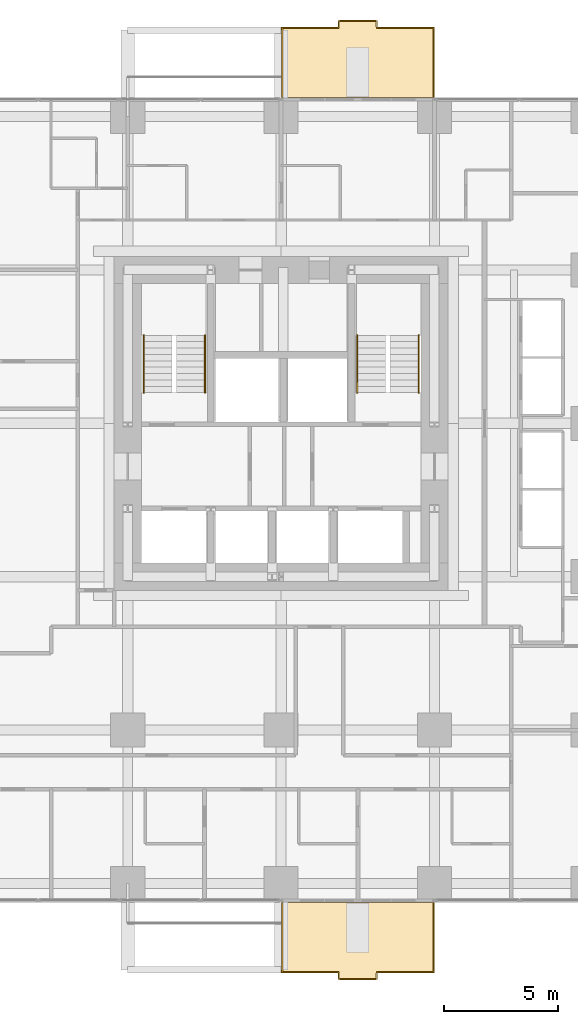
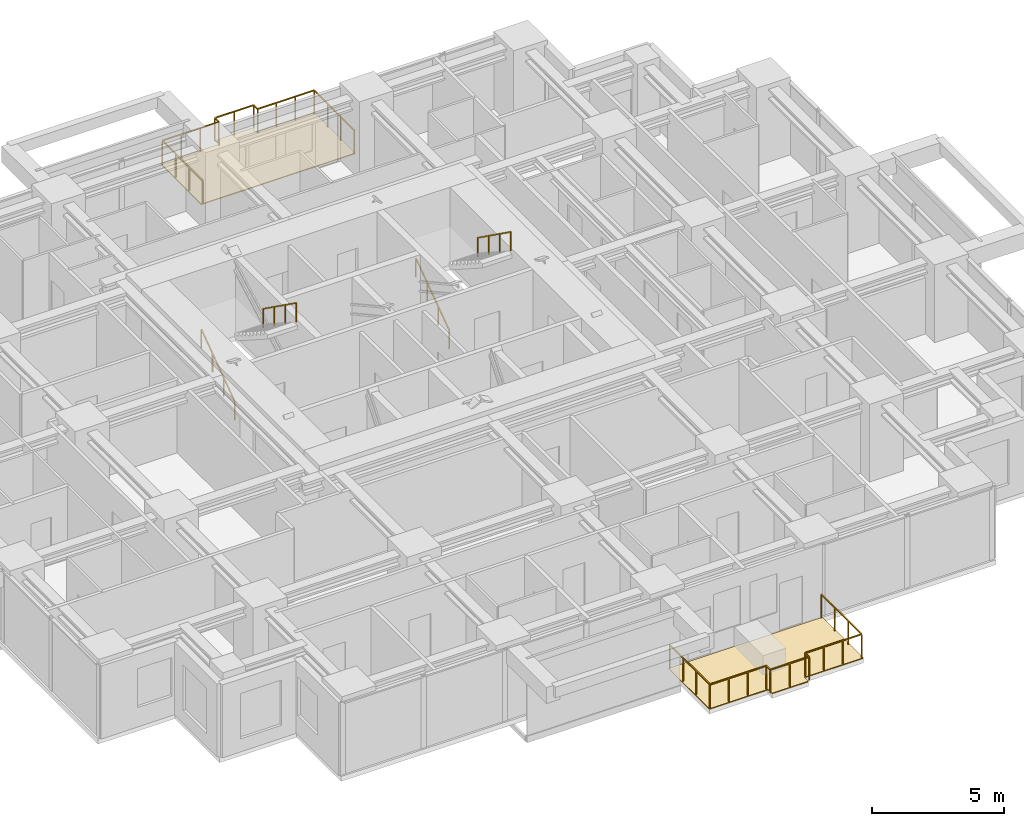
# One storey, part 12 of 12: 6 railings, 2 coverings.
"""IFC4 building model written with IfcOpenShell, lengths in metres."""

import ifcopenshell
import ifcopenshell.guid

model = None  # the IFC model being written
_history = None  # IfcOwnerHistory: only IFC2X3 demands one
_inside = {}  # id of a spatial element -> (the spatial element, [elements in it])
_under = {}  # id of a project, library or spatial element -> (it, [spatial elements below it])
_declared = {}  # id of a project -> (the project, [libraries it declares])
_typed = {}  # id of a type object -> (the type object, [elements of that type])
_made_of = {}  # id of a material, layer set ... -> (it, [elements and type objects made of it])


def new_model(schema):
    """Start an empty IFC model of exactly this schema.

    Asked for "IFC4X3", IfcOpenShell would pick the latest addendum, in which some entities
    have other attributes; the version numbers below select the first issue.
    IFC2X3 requires an IfcOwnerHistory on every rooted entity: one is made here for all.
    """
    global model, _history
    if schema == "IFC4X3":
        model = ifcopenshell.file(schema_version=(4, 3, 0, 0))
    else:
        model = ifcopenshell.file(schema=schema)
    _inside.clear()
    _under.clear()
    _declared.clear()
    _typed.clear()
    _made_of.clear()
    _history = None
    if model.schema == "IFC2X3":
        org = make("IfcOrganization", Name="unknown")
        user = make(
            "IfcPersonAndOrganization",
            ThePerson=make("IfcPerson", FamilyName="unknown"),
            TheOrganization=org,
        )
        app = make(
            "IfcApplication",
            ApplicationDeveloper=org,
            Version="unknown",
            ApplicationFullName="unknown",
            ApplicationIdentifier="unknown",
        )
        _history = make(
            "IfcOwnerHistory",
            OwningUser=user,
            OwningApplication=app,
            ChangeAction="ADDED",
            CreationDate=0,
        )
    return model


def make(cls, **values):
    """One entity of the class cls with the attributes given. An attribute that is None is left unset."""
    return model.create_entity(
        cls, **{name: value for name, value in values.items() if value is not None}
    )


def rooted(cls, **values):
    """An entity with a GlobalId (a new one), such as an element, a storey or a relation."""
    return make(cls, GlobalId=ifcopenshell.guid.new(), OwnerHistory=_history, **values)


def si_unit(unit_type, name, prefix=None):
    """IfcSIUnit, for example si_unit("LENGTHUNIT", "METRE", prefix="MILLI")."""
    return make("IfcSIUnit", UnitType=unit_type, Prefix=prefix, Name=name)


def assignment(units):
    """IfcUnitAssignment: the units of a project."""
    return None if units is None else make("IfcUnitAssignment", Units=units)


def point(xyz):
    """IfcCartesianPoint."""
    return None if xyz is None else make("IfcCartesianPoint", Coordinates=xyz)


def direction(xyz):
    """IfcDirection."""
    return None if xyz is None else make("IfcDirection", DirectionRatios=xyz)


def frame(location, z_axis=None, x_axis=None):
    """IfcAxis2Placement3D, a coordinate frame: its origin and axes. An axis left out is left unset."""
    return make(
        "IfcAxis2Placement3D",
        Location=point(location),
        Axis=direction(z_axis),
        RefDirection=direction(x_axis),
    )


def frame_2d(location, x_axis=None):
    """IfcAxis2Placement2D, a coordinate frame in the plane: its origin and x axis."""
    return make(
        "IfcAxis2Placement2D", Location=point(location), RefDirection=direction(x_axis)
    )


def origin():
    """The frame at (0, 0, 0) with its axes left unset."""
    return frame((0.0, 0.0, 0.0))


def origin_2d():
    """The frame at (0, 0) in the plane with its x axis left unset."""
    return frame_2d((0.0, 0.0))


def place(relative_to, where):
    """IfcLocalPlacement: puts the frame where relative to a parent placement (None: the world)."""
    return make(
        "IfcLocalPlacement", PlacementRelTo=relative_to, RelativePlacement=where
    )


def context(
    kind, dimensions, precision=None, world=None, true_north=None, identifier=None
):
    """IfcGeometricRepresentationContext, for example the 3D "Model" context."""
    return make(
        "IfcGeometricRepresentationContext",
        ContextIdentifier=identifier,
        ContextType=kind,
        CoordinateSpaceDimension=dimensions,
        Precision=precision,
        WorldCoordinateSystem=world,
        TrueNorth=true_north,
    )


def subcontext(parent, identifier, kind, view, scale=None):
    """IfcGeometricRepresentationSubContext, for example "Body" below "Model"."""
    return make(
        "IfcGeometricRepresentationSubContext",
        ContextIdentifier=identifier,
        ContextType=kind,
        ParentContext=parent,
        TargetScale=scale,
        TargetView=view,
    )


def project(units=None, contexts=None):
    """IfcProject with its units and contexts."""
    return rooted(
        "IfcProject",
        Name="project",
        RepresentationContexts=contexts,
        UnitsInContext=assignment(units),
    )


def spatial(cls, under=None, at=None, **own):
    """A site, building, storey or space (cls), placed at a placement, below another one or the project."""
    s = rooted(cls, ObjectPlacement=at, **own)
    if under is not None:
        _under.setdefault(under.id(), (under, []))[1].append(s)
    return s


def polyline(points):
    """IfcPolyline through the points."""
    return make("IfcPolyline", Points=[point(p) for p in points])


def profile(cls, at=None, kind="AREA", **sizes):
    """A parametric profile (cls). Its sizes go by their IFC names, for example OverallWidth=200.0."""
    return make(cls, ProfileType=kind, Position=at, **sizes)


def rectangle(**sizes):
    """IfcRectangleProfileDef."""
    return profile("IfcRectangleProfileDef", **sizes)


def outline(outer, holes=None, kind="AREA"):
    """IfcArbitraryClosedProfileDef: a profile drawn as a closed curve; with holes, ...WithVoids."""
    if holes is None:
        return make("IfcArbitraryClosedProfileDef", ProfileType=kind, OuterCurve=outer)
    return make(
        "IfcArbitraryProfileDefWithVoids",
        ProfileType=kind,
        OuterCurve=outer,
        InnerCurves=holes,
    )


def extrude(swept, where, along, depth):
    """IfcExtrudedAreaSolid: the profile swept, set in the frame where, extruded along a direction by depth."""
    return make(
        "IfcExtrudedAreaSolid",
        SweptArea=swept,
        Position=where,
        ExtrudedDirection=direction(along),
        Depth=depth,
    )


def shape(context_of_items, identifier, shape_type, items):
    """IfcShapeRepresentation: the items that make up one representation, for example the "Body"."""
    return make(
        "IfcShapeRepresentation",
        ContextOfItems=context_of_items,
        RepresentationIdentifier=identifier,
        RepresentationType=shape_type,
        Items=items,
    )


def material(Name=None, Category=None):
    """IfcMaterial."""
    return make("IfcMaterial", Name=Name, Category=Category)


def layer(
    of_material, thickness, ventilated=None, Name=None, Category=None, Priority=None
):
    """IfcMaterialLayer: one layer of a wall or slab, of a material (None: an air gap)."""
    return make(
        "IfcMaterialLayer",
        Material=of_material,
        LayerThickness=thickness,
        IsVentilated=ventilated,
        Name=Name,
        Category=Category,
        Priority=Priority,
    )


def layer_set(layers, Name=None):
    """IfcMaterialLayerSet."""
    return make("IfcMaterialLayerSet", MaterialLayers=layers, LayerSetName=Name)


def made_of(thing, what):
    """Note that an element or type object is made of a material, layer set ...; save() writes the relation."""
    if what is not None:
        _made_of.setdefault(what.id(), (what, []))[1].append(thing)
    return thing


def type_object(cls, material=None, **own):
    """A type object (cls), such as IfcWallType, which elements share."""
    return made_of(rooted(cls, **own), material)


def element(
    cls,
    number,
    at=None,
    inside=None,
    cuts=None,
    type_object=None,
    material=None,
    context=None,
    identifier="Body",
    shape_type=None,
    held_by="IfcProductDefinitionShape",
    body=None,
    shapes=None,
    **own,
):
    """One element of the class cls, such as IfcWall. Its Tag is "e" and its number.

    at: its placement. inside: the storey or other place that contains it. cuts: it is an
    opening in that element (IfcRelVoidsElement). A single representation is given by context,
    identifier, shape_type and body (its items); several are given by shapes. held_by: the class
    of the entity that holds the representations. save() writes the other relations.
    """
    e = rooted(cls, Tag="e%d" % number, ObjectPlacement=at, **own)
    if body is not None:
        shapes = [shape(context, identifier, shape_type, body)]
    if shapes is not None:
        e.Representation = make(held_by, Representations=shapes)
    if inside is not None:
        _inside.setdefault(inside.id(), (inside, []))[1].append(e)
    if cuts is not None:
        rooted(
            "IfcRelVoidsElement", RelatingBuildingElement=cuts, RelatedOpeningElement=e
        )
    if type_object is not None:
        _typed.setdefault(type_object.id(), (type_object, []))[1].append(e)
    return made_of(e, material)


def aggregate(whole, parts):
    """IfcRelAggregates: a whole, such as a stair, and the parts it consists of."""
    return rooted("IfcRelAggregates", RelatingObject=whole, RelatedObjects=parts)


def save(model, path):
    """Write the relations noted so far, then the file.

    IfcRelAggregates (storeys below a building ...), IfcRelContainedInSpatialStructure (elements
    in a storey), IfcRelDefinesByType, IfcRelAssociatesMaterial and IfcRelDeclares: one each for
    every whole, place, type object, material and project.
    """
    for whole, parts in _under.values():
        aggregate(whole, parts)
    for where, things in _inside.values():
        rooted(
            "IfcRelContainedInSpatialStructure",
            RelatedElements=things,
            RelatingStructure=where,
        )
    for kind, things in _typed.values():
        rooted("IfcRelDefinesByType", RelatedObjects=things, RelatingType=kind)
    for what, things in _made_of.values():
        rooted("IfcRelAssociatesMaterial", RelatedObjects=things, RelatingMaterial=what)
    for by, libraries in _declared.values():
        rooted("IfcRelDeclares", RelatingContext=by, RelatedDefinitions=libraries)
    model.write(path)


model = new_model("IFC4")

# Units and contexts
model_context = context("Model", 3, precision=1e-05, world=origin(), true_north=direction((0.0, 1.0)))
body_context = subcontext(model_context, "Body", "Model", "MODEL_VIEW")
ifc_project = project(units=[si_unit("LENGTHUNIT", "METRE"), si_unit("AREAUNIT", "SQUARE_METRE"), si_unit("VOLUMEUNIT", "CUBIC_METRE"), si_unit("PLANEANGLEUNIT", "RADIAN"), si_unit("MASSUNIT", "GRAM", prefix="KILO")], contexts=[model_context])

# Site, building, storey
site_placement = place(None, origin())
site = spatial("IfcSite", under=ifc_project, at=site_placement, CompositionType="ELEMENT")
building_placement = place(site_placement, origin())
building = spatial("IfcBuilding", under=site, at=building_placement, Name="Nyansa Garden Tower", CompositionType="ELEMENT")
storey_placement = place(building_placement, frame((0.0, 0.0, 112.5)))
storey = spatial("IfcBuildingStorey", under=building, at=storey_placement, Name="L30", CompositionType="ELEMENT", Elevation=112.5)

# Coverings
ifc_material_1 = material(Name="Hardwood decking on pedestals", Category="wood")
ifc_layer = layer(ifc_material_1, 0.0400390625)
ifc_layer_set = layer_set([ifc_layer], Name="Balcony decking DK40")
covering_type = type_object("IfcCoveringType", Name="Balcony decking DK40", PredefinedType="FLOORING", material=ifc_layer_set)
covering_1_placement = place(storey_placement, frame((0.0, 0.0, -0.0400390625)))
element("IfcCovering", 1, at=covering_1_placement, inside=storey, type_object=covering_type, Name="Balcony decking L30", PredefinedType="FLOORING", context=body_context, shape_type="SweptSolid", body=[
    extrude(outline(polyline([(20.25, -0.85009765625), (27.0, -0.85009765625), (27.0, -3.949951171875), (24.425048828125, -3.949951171875), (24.425048828125, -4.25), (22.824951171875, -4.25), (22.824951171875, -3.949951171875), (20.25, -3.949951171875), (20.25, -0.85009765625)])), origin(), (0.0, 0.0, 1.0), 0.0400390625),
])
covering_2_placement = place(storey_placement, frame((0.0, 0.0, -0.0400390625)))
element("IfcCovering", 2, at=covering_2_placement, inside=storey, type_object=covering_type, Name="Balcony decking L30", PredefinedType="FLOORING", context=body_context, shape_type="SweptSolid", body=[
    extrude(outline(polyline([(20.25, 34.60009765625), (27.0, 34.60009765625), (27.0, 37.699951171875), (24.425048828125, 37.699951171875), (24.425048828125, 38.0), (22.824951171875, 38.0), (22.824951171875, 37.699951171875), (20.25, 37.699951171875), (20.25, 34.60009765625)])), origin(), (0.0, 0.0, 1.0), 0.0400390625),
])

# Railings
ifc_material_2 = material(Name="Black powder-coated steel balusters, laminated glass infill", Category="steel")
railing_type_1 = type_object("IfcRailingType", Name="Balcony guard G1", PredefinedType="GUARDRAIL", material=ifc_material_2)
railing_1_placement = place(storey_placement, frame((20.300048828125, -0.85009765625, 0.0)))
element("IfcRailing", 3, at=railing_1_placement, inside=storey, type_object=railing_type_1, Name="Balcony guard L30", PredefinedType="GUARDRAIL", context=body_context, shape_type="SweptSolid", body=[
    extrude(rectangle(XDim=0.048095703125, YDim=0.048095703125, at=origin_2d()), frame((0.0, 0.0, 1.076171875), z_axis=(0.0, -1.0, 0.0), x_axis=(1.0, 0.0, 0.0)), (0.0, 0.0, 1.0), 3.0498046875),
    extrude(rectangle(XDim=0.048095703125, YDim=0.048095703125, at=origin_2d()), frame((0.0, -3.0498046875, 1.076171875), z_axis=(1.0, 0.0, 0.0), x_axis=(0.0, 1.0, 0.0)), (0.0, 0.0, 1.0), 2.474853515625),
    extrude(rectangle(XDim=0.048095703125, YDim=0.048095703125, at=origin_2d()), frame((2.474853515625, -3.0498046875, 1.076171875), z_axis=(0.0, -1.0, 0.0), x_axis=(1.0, 0.0, 0.0)), (0.0, 0.0, 1.0), 0.300048828125),
    extrude(rectangle(XDim=0.048095703125, YDim=0.048095703125, at=origin_2d()), frame((2.474853515625, -3.349853515625, 1.076171875), z_axis=(1.0, 0.0, 0.0), x_axis=(0.0, 1.0, 0.0)), (0.0, 0.0, 1.0), 1.7001953125),
    extrude(rectangle(XDim=0.048095703125, YDim=0.048095703125, at=origin_2d()), frame((4.175048828125, -3.349853515625, 1.076171875), z_axis=(0.0, 1.0, 0.0), x_axis=(-1.0, 0.0, 0.0)), (0.0, 0.0, 1.0), 0.300048828125),
    extrude(rectangle(XDim=0.048095703125, YDim=0.048095703125, at=origin_2d()), frame((4.175048828125, -3.0498046875, 1.076171875), z_axis=(1.0, 0.0, 0.0), x_axis=(0.0, 1.0, 0.0)), (0.0, 0.0, 1.0), 2.474853515625),
    extrude(rectangle(XDim=0.048095703125, YDim=0.048095703125, at=origin_2d()), frame((6.64990234375, -3.0498046875, 1.076171875), z_axis=(0.0, 1.0, 0.0), x_axis=(-1.0, 0.0, 0.0)), (0.0, 0.0, 1.0), 3.0498046875),
    extrude(rectangle(XDim=0.0419921875, YDim=0.0419921875, at=origin_2d()), origin(), (0.0, 0.0, 1.0), 1.052001953125),
    extrude(rectangle(XDim=0.0419921875, YDim=0.0419921875, at=origin_2d()), frame((0.0, -1.0166015625, 0.0)), (0.0, 0.0, 1.0), 1.052001953125),
    extrude(rectangle(XDim=0.0419921875, YDim=0.0419921875, at=origin_2d()), frame((0.0, -2.033203125, 0.0)), (0.0, 0.0, 1.0), 1.052001953125),
    extrude(rectangle(XDim=0.0419921875, YDim=0.0419921875, at=origin_2d()), frame((0.0, -3.0498046875, 0.0)), (0.0, 0.0, 1.0), 1.052001953125),
    extrude(rectangle(XDim=0.0419921875, YDim=0.0419921875, at=origin_2d()), frame((0.824951171875, -3.0498046875, 0.0)), (0.0, 0.0, 1.0), 1.052001953125),
    extrude(rectangle(XDim=0.0419921875, YDim=0.0419921875, at=origin_2d()), frame((1.64990234375, -3.0498046875, 0.0)), (0.0, 0.0, 1.0), 1.052001953125),
    extrude(rectangle(XDim=0.0419921875, YDim=0.0419921875, at=origin_2d()), frame((2.474853515625, -3.0498046875, 0.0)), (0.0, 0.0, 1.0), 1.052001953125),
    extrude(rectangle(XDim=0.0419921875, YDim=0.0419921875, at=origin_2d()), frame((2.474853515625, -3.349853515625, 0.0)), (0.0, 0.0, 1.0), 1.052001953125),
    extrude(rectangle(XDim=0.0419921875, YDim=0.0419921875, at=origin_2d()), frame((3.324951171875, -3.349853515625, 0.0)), (0.0, 0.0, 1.0), 1.052001953125),
    extrude(rectangle(XDim=0.0419921875, YDim=0.0419921875, at=origin_2d()), frame((4.175048828125, -3.349853515625, 0.0)), (0.0, 0.0, 1.0), 1.052001953125),
    extrude(rectangle(XDim=0.0419921875, YDim=0.0419921875, at=origin_2d()), frame((4.175048828125, -3.0498046875, 0.0)), (0.0, 0.0, 1.0), 1.052001953125),
    extrude(rectangle(XDim=0.0419921875, YDim=0.0419921875, at=origin_2d()), frame((5.0, -3.0498046875, 0.0)), (0.0, 0.0, 1.0), 1.052001953125),
    extrude(rectangle(XDim=0.0419921875, YDim=0.0419921875, at=origin_2d()), frame((5.824951171875, -3.0498046875, 0.0)), (0.0, 0.0, 1.0), 1.052001953125),
    extrude(rectangle(XDim=0.0419921875, YDim=0.0419921875, at=origin_2d()), frame((6.64990234375, -3.0498046875, 0.0)), (0.0, 0.0, 1.0), 1.052001953125),
    extrude(rectangle(XDim=0.0419921875, YDim=0.0419921875, at=origin_2d()), frame((6.64990234375, -2.033203125, 0.0)), (0.0, 0.0, 1.0), 1.052001953125),
    extrude(rectangle(XDim=0.0419921875, YDim=0.0419921875, at=origin_2d()), frame((6.64990234375, -1.0166015625, 0.0)), (0.0, 0.0, 1.0), 1.052001953125),
    extrude(rectangle(XDim=0.0419921875, YDim=0.0419921875, at=origin_2d()), frame((6.64990234375, 0.0, 0.0)), (0.0, 0.0, 1.0), 1.052001953125),
])
railing_2_placement = place(storey_placement, frame((20.300048828125, 34.60009765625, 0.0)))
element("IfcRailing", 4, at=railing_2_placement, inside=storey, type_object=railing_type_1, Name="Balcony guard L30", PredefinedType="GUARDRAIL", context=body_context, shape_type="SweptSolid", body=[
    extrude(rectangle(XDim=0.048095703125, YDim=0.048095703125, at=origin_2d()), frame((0.0, 0.0, 1.076171875), z_axis=(0.0, 1.0, 0.0), x_axis=(-1.0, 0.0, 0.0)), (0.0, 0.0, 1.0), 3.0498046875),
    extrude(rectangle(XDim=0.048095703125, YDim=0.048095703125, at=origin_2d()), frame((0.0, 3.0498046875, 1.076171875), z_axis=(1.0, 0.0, 0.0), x_axis=(0.0, 1.0, 0.0)), (0.0, 0.0, 1.0), 2.474853515625),
    extrude(rectangle(XDim=0.048095703125, YDim=0.048095703125, at=origin_2d()), frame((2.474853515625, 3.0498046875, 1.076171875), z_axis=(0.0, 1.0, 0.0), x_axis=(-1.0, 0.0, 0.0)), (0.0, 0.0, 1.0), 0.300048828125),
    extrude(rectangle(XDim=0.048095703125, YDim=0.048095703125, at=origin_2d()), frame((2.474853515625, 3.349853515625, 1.076171875), z_axis=(1.0, 0.0, 0.0), x_axis=(0.0, 1.0, 0.0)), (0.0, 0.0, 1.0), 1.7001953125),
    extrude(rectangle(XDim=0.048095703125, YDim=0.048095703125, at=origin_2d()), frame((4.175048828125, 3.349853515625, 1.076171875), z_axis=(0.0, -1.0, 0.0), x_axis=(1.0, 0.0, 0.0)), (0.0, 0.0, 1.0), 0.300048828125),
    extrude(rectangle(XDim=0.048095703125, YDim=0.048095703125, at=origin_2d()), frame((4.175048828125, 3.0498046875, 1.076171875), z_axis=(1.0, 0.0, 0.0), x_axis=(0.0, 1.0, 0.0)), (0.0, 0.0, 1.0), 2.474853515625),
    extrude(rectangle(XDim=0.048095703125, YDim=0.048095703125, at=origin_2d()), frame((6.64990234375, 3.0498046875, 1.076171875), z_axis=(0.0, -1.0, 0.0), x_axis=(1.0, 0.0, 0.0)), (0.0, 0.0, 1.0), 3.0498046875),
    extrude(rectangle(XDim=0.0419921875, YDim=0.0419921875, at=origin_2d()), origin(), (0.0, 0.0, 1.0), 1.052001953125),
    extrude(rectangle(XDim=0.0419921875, YDim=0.0419921875, at=origin_2d()), frame((0.0, 1.0166015625, 0.0)), (0.0, 0.0, 1.0), 1.052001953125),
    extrude(rectangle(XDim=0.0419921875, YDim=0.0419921875, at=origin_2d()), frame((0.0, 2.033203125, 0.0)), (0.0, 0.0, 1.0), 1.052001953125),
    extrude(rectangle(XDim=0.0419921875, YDim=0.0419921875, at=origin_2d()), frame((0.0, 3.0498046875, 0.0)), (0.0, 0.0, 1.0), 1.052001953125),
    extrude(rectangle(XDim=0.0419921875, YDim=0.0419921875, at=origin_2d()), frame((0.824951171875, 3.0498046875, 0.0)), (0.0, 0.0, 1.0), 1.052001953125),
    extrude(rectangle(XDim=0.0419921875, YDim=0.0419921875, at=origin_2d()), frame((1.64990234375, 3.0498046875, 0.0)), (0.0, 0.0, 1.0), 1.052001953125),
    extrude(rectangle(XDim=0.0419921875, YDim=0.0419921875, at=origin_2d()), frame((2.474853515625, 3.0498046875, 0.0)), (0.0, 0.0, 1.0), 1.052001953125),
    extrude(rectangle(XDim=0.0419921875, YDim=0.0419921875, at=origin_2d()), frame((2.474853515625, 3.349853515625, 0.0)), (0.0, 0.0, 1.0), 1.052001953125),
    extrude(rectangle(XDim=0.0419921875, YDim=0.0419921875, at=origin_2d()), frame((3.324951171875, 3.349853515625, 0.0)), (0.0, 0.0, 1.0), 1.052001953125),
    extrude(rectangle(XDim=0.0419921875, YDim=0.0419921875, at=origin_2d()), frame((4.175048828125, 3.349853515625, 0.0)), (0.0, 0.0, 1.0), 1.052001953125),
    extrude(rectangle(XDim=0.0419921875, YDim=0.0419921875, at=origin_2d()), frame((4.175048828125, 3.0498046875, 0.0)), (0.0, 0.0, 1.0), 1.052001953125),
    extrude(rectangle(XDim=0.0419921875, YDim=0.0419921875, at=origin_2d()), frame((5.0, 3.0498046875, 0.0)), (0.0, 0.0, 1.0), 1.052001953125),
    extrude(rectangle(XDim=0.0419921875, YDim=0.0419921875, at=origin_2d()), frame((5.824951171875, 3.0498046875, 0.0)), (0.0, 0.0, 1.0), 1.052001953125),
    extrude(rectangle(XDim=0.0419921875, YDim=0.0419921875, at=origin_2d()), frame((6.64990234375, 3.0498046875, 0.0)), (0.0, 0.0, 1.0), 1.052001953125),
    extrude(rectangle(XDim=0.0419921875, YDim=0.0419921875, at=origin_2d()), frame((6.64990234375, 2.033203125, 0.0)), (0.0, 0.0, 1.0), 1.052001953125),
    extrude(rectangle(XDim=0.0419921875, YDim=0.0419921875, at=origin_2d()), frame((6.64990234375, 1.0166015625, 0.0)), (0.0, 0.0, 1.0), 1.052001953125),
    extrude(rectangle(XDim=0.0419921875, YDim=0.0419921875, at=origin_2d()), frame((6.64990234375, 0.0, 0.0)), (0.0, 0.0, 1.0), 1.052001953125),
])
ifc_material_3 = material(Name="Black powder-coated steel tube 48 mm", Category="steel")
railing_type_2 = type_object("IfcRailingType", Name="Stair handrail HR1", PredefinedType="HANDRAIL", material=ifc_material_3)
railing_3_placement = place(storey_placement, frame((14.199951171875, 21.60009765625, 0.0)))
element("IfcRailing", 5, at=railing_3_placement, inside=storey, type_object=railing_type_2, Name="Stair S1 handrail L30", PredefinedType="HANDRAIL", context=body_context, shape_type="SweptSolid", body=[
    extrude(rectangle(XDim=0.048095703125, YDim=0.048095703125, at=origin_2d()), frame((0.0, 0.0, 0.8759765625), z_axis=(0.0, 0.813728144527, 0.581245650998), x_axis=(-1.0, 0.0, 0.0)), (0.0, 0.0, 1.0), 3.096923828125),
    extrude(rectangle(XDim=0.0419921875, YDim=0.0419921875, at=origin_2d()), origin(), (0.0, 0.0, 1.0), 0.851806640625),
    extrude(rectangle(XDim=0.0419921875, YDim=0.0419921875, at=origin_2d()), frame((0.0, 0.840087890625, 0.60009765625)), (0.0, 0.0, 1.0), 0.851806640625),
    extrude(rectangle(XDim=0.0419921875, YDim=0.0419921875, at=origin_2d()), frame((0.0, 1.679931640625, 1.199951171875)), (0.0, 0.0, 1.0), 0.851806640625),
    extrude(rectangle(XDim=0.0419921875, YDim=0.0419921875, at=origin_2d()), frame((0.0, 2.52001953125, 1.800048828125)), (0.0, 0.0, 1.0), 0.851806640625),
])
railing_4_placement = place(storey_placement, frame((16.89990234375, 24.1201171875, 1.800048828125)))
element("IfcRailing", 6, at=railing_4_placement, inside=storey, type_object=railing_type_2, Name="Stair S1 handrail L30", PredefinedType="HANDRAIL", context=body_context, shape_type="SweptSolid", body=[
    extrude(rectangle(XDim=0.048095703125, YDim=0.048095703125, at=origin_2d()), frame((0.0, 0.0, 0.8759765625), z_axis=(0.0, -0.813728144527, 0.581245650998), x_axis=(1.0, 0.0, 0.0)), (0.0, 0.0, 1.0), 3.096923828125),
    extrude(rectangle(XDim=0.0419921875, YDim=0.0419921875, at=origin_2d()), origin(), (0.0, 0.0, 1.0), 0.851806640625),
    extrude(rectangle(XDim=0.0419921875, YDim=0.0419921875, at=origin_2d()), frame((0.0, -0.840087890625, 0.60009765625)), (0.0, 0.0, 1.0), 0.851806640625),
    extrude(rectangle(XDim=0.0419921875, YDim=0.0419921875, at=origin_2d()), frame((0.0, -1.679931640625, 1.199951171875)), (0.0, 0.0, 1.0), 0.851806640625),
    extrude(rectangle(XDim=0.0419921875, YDim=0.0419921875, at=origin_2d()), frame((0.0, -2.52001953125, 1.800048828125)), (0.0, 0.0, 1.0), 0.851806640625),
])
railing_5_placement = place(storey_placement, frame((23.60009765625, 21.60009765625, 0.0)))
element("IfcRailing", 7, at=railing_5_placement, inside=storey, type_object=railing_type_2, Name="Stair S2 handrail L30", PredefinedType="HANDRAIL", context=body_context, shape_type="SweptSolid", body=[
    extrude(rectangle(XDim=0.048095703125, YDim=0.048095703125, at=origin_2d()), frame((0.0, 0.0, 0.8759765625), z_axis=(0.0, 0.813728144527, 0.581245650998), x_axis=(-1.0, 0.0, 0.0)), (0.0, 0.0, 1.0), 3.096923828125),
    extrude(rectangle(XDim=0.0419921875, YDim=0.0419921875, at=origin_2d()), origin(), (0.0, 0.0, 1.0), 0.851806640625),
    extrude(rectangle(XDim=0.0419921875, YDim=0.0419921875, at=origin_2d()), frame((0.0, 0.840087890625, 0.60009765625)), (0.0, 0.0, 1.0), 0.851806640625),
    extrude(rectangle(XDim=0.0419921875, YDim=0.0419921875, at=origin_2d()), frame((0.0, 1.679931640625, 1.199951171875)), (0.0, 0.0, 1.0), 0.851806640625),
    extrude(rectangle(XDim=0.0419921875, YDim=0.0419921875, at=origin_2d()), frame((0.0, 2.52001953125, 1.800048828125)), (0.0, 0.0, 1.0), 0.851806640625),
])
railing_6_placement = place(storey_placement, frame((26.300048828125, 24.1201171875, 1.800048828125)))
element("IfcRailing", 8, at=railing_6_placement, inside=storey, type_object=railing_type_2, Name="Stair S2 handrail L30", PredefinedType="HANDRAIL", context=body_context, shape_type="SweptSolid", body=[
    extrude(rectangle(XDim=0.048095703125, YDim=0.048095703125, at=origin_2d()), frame((0.0, 0.0, 0.8759765625), z_axis=(0.0, -0.813728144527, 0.581245650998), x_axis=(1.0, 0.0, 0.0)), (0.0, 0.0, 1.0), 3.096923828125),
    extrude(rectangle(XDim=0.0419921875, YDim=0.0419921875, at=origin_2d()), origin(), (0.0, 0.0, 1.0), 0.851806640625),
    extrude(rectangle(XDim=0.0419921875, YDim=0.0419921875, at=origin_2d()), frame((0.0, -0.840087890625, 0.60009765625)), (0.0, 0.0, 1.0), 0.851806640625),
    extrude(rectangle(XDim=0.0419921875, YDim=0.0419921875, at=origin_2d()), frame((0.0, -1.679931640625, 1.199951171875)), (0.0, 0.0, 1.0), 0.851806640625),
    extrude(rectangle(XDim=0.0419921875, YDim=0.0419921875, at=origin_2d()), frame((0.0, -2.52001953125, 1.800048828125)), (0.0, 0.0, 1.0), 0.851806640625),
])

save(model, "model.ifc")
